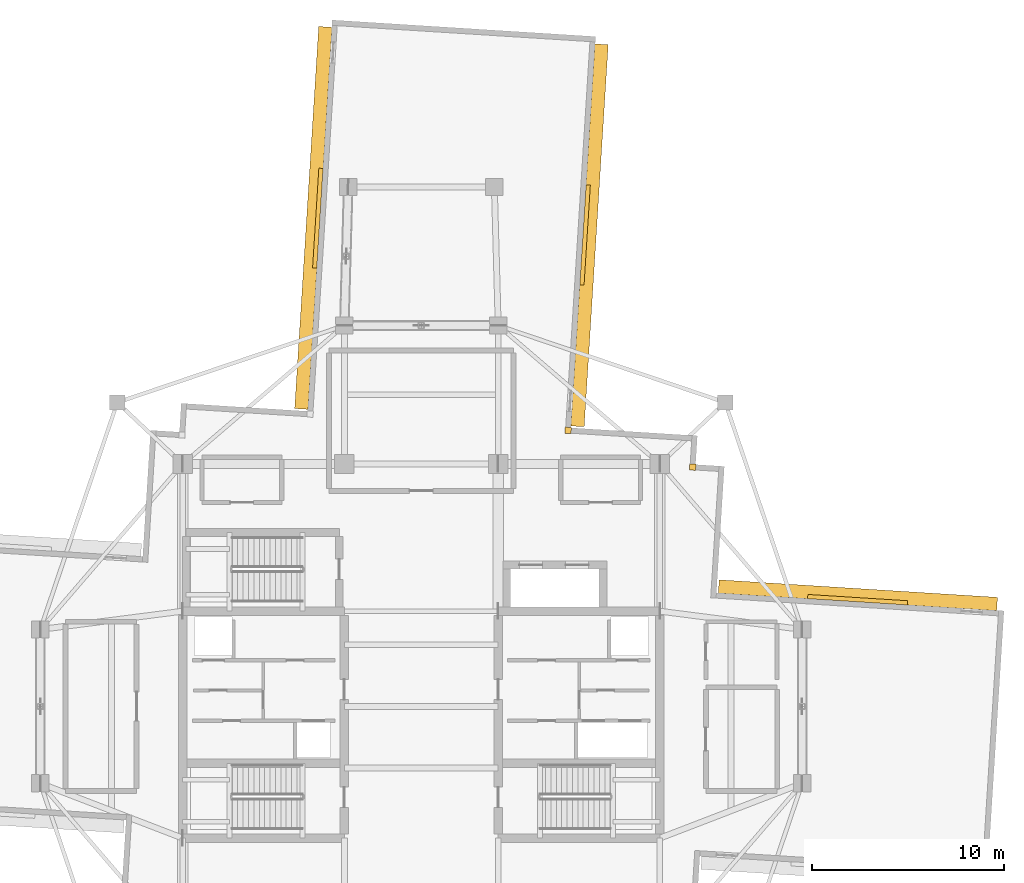
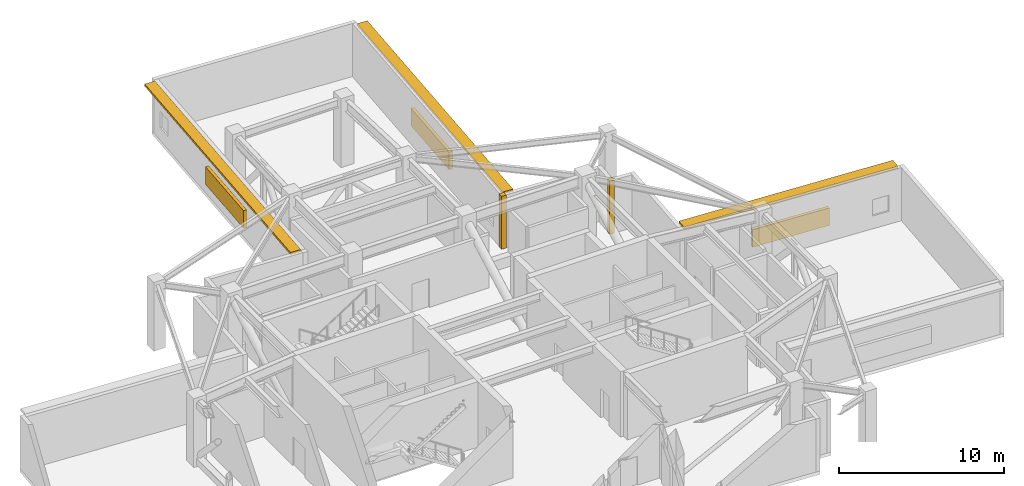
# One storey, part 14 of 14: 6 shading devices, 2 coverings.
"""IFC4 building model written with IfcOpenShell, lengths in metres."""

import ifcopenshell
import ifcopenshell.guid

model = None  # the IFC model being written
_history = None  # IfcOwnerHistory: only IFC2X3 demands one
_inside = {}  # id of a spatial element -> (the spatial element, [elements in it])
_under = {}  # id of a project, library or spatial element -> (it, [spatial elements below it])
_declared = {}  # id of a project -> (the project, [libraries it declares])
_typed = {}  # id of a type object -> (the type object, [elements of that type])
_made_of = {}  # id of a material, layer set ... -> (it, [elements and type objects made of it])


def new_model(schema):
    """Start an empty IFC model of exactly this schema.

    Asked for "IFC4X3", IfcOpenShell would pick the latest addendum, in which some entities
    have other attributes; the version numbers below select the first issue.
    IFC2X3 requires an IfcOwnerHistory on every rooted entity: one is made here for all.
    """
    global model, _history
    if schema == "IFC4X3":
        model = ifcopenshell.file(schema_version=(4, 3, 0, 0))
    else:
        model = ifcopenshell.file(schema=schema)
    _inside.clear()
    _under.clear()
    _declared.clear()
    _typed.clear()
    _made_of.clear()
    _history = None
    if model.schema == "IFC2X3":
        org = make("IfcOrganization", Name="unknown")
        user = make(
            "IfcPersonAndOrganization",
            ThePerson=make("IfcPerson", FamilyName="unknown"),
            TheOrganization=org,
        )
        app = make(
            "IfcApplication",
            ApplicationDeveloper=org,
            Version="unknown",
            ApplicationFullName="unknown",
            ApplicationIdentifier="unknown",
        )
        _history = make(
            "IfcOwnerHistory",
            OwningUser=user,
            OwningApplication=app,
            ChangeAction="ADDED",
            CreationDate=0,
        )
    return model


def make(cls, **values):
    """One entity of the class cls with the attributes given. An attribute that is None is left unset."""
    return model.create_entity(
        cls, **{name: value for name, value in values.items() if value is not None}
    )


def rooted(cls, **values):
    """An entity with a GlobalId (a new one), such as an element, a storey or a relation."""
    return make(cls, GlobalId=ifcopenshell.guid.new(), OwnerHistory=_history, **values)


def si_unit(unit_type, name, prefix=None):
    """IfcSIUnit, for example si_unit("LENGTHUNIT", "METRE", prefix="MILLI")."""
    return make("IfcSIUnit", UnitType=unit_type, Prefix=prefix, Name=name)


def assignment(units):
    """IfcUnitAssignment: the units of a project."""
    return None if units is None else make("IfcUnitAssignment", Units=units)


def point(xyz):
    """IfcCartesianPoint."""
    return None if xyz is None else make("IfcCartesianPoint", Coordinates=xyz)


def direction(xyz):
    """IfcDirection."""
    return None if xyz is None else make("IfcDirection", DirectionRatios=xyz)


def frame(location, z_axis=None, x_axis=None):
    """IfcAxis2Placement3D, a coordinate frame: its origin and axes. An axis left out is left unset."""
    return make(
        "IfcAxis2Placement3D",
        Location=point(location),
        Axis=direction(z_axis),
        RefDirection=direction(x_axis),
    )


def frame_2d(location, x_axis=None):
    """IfcAxis2Placement2D, a coordinate frame in the plane: its origin and x axis."""
    return make(
        "IfcAxis2Placement2D", Location=point(location), RefDirection=direction(x_axis)
    )


def origin():
    """The frame at (0, 0, 0) with its axes left unset."""
    return frame((0.0, 0.0, 0.0))


def origin_2d():
    """The frame at (0, 0) in the plane with its x axis left unset."""
    return frame_2d((0.0, 0.0))


def place(relative_to, where):
    """IfcLocalPlacement: puts the frame where relative to a parent placement (None: the world)."""
    return make(
        "IfcLocalPlacement", PlacementRelTo=relative_to, RelativePlacement=where
    )


def context(
    kind, dimensions, precision=None, world=None, true_north=None, identifier=None
):
    """IfcGeometricRepresentationContext, for example the 3D "Model" context."""
    return make(
        "IfcGeometricRepresentationContext",
        ContextIdentifier=identifier,
        ContextType=kind,
        CoordinateSpaceDimension=dimensions,
        Precision=precision,
        WorldCoordinateSystem=world,
        TrueNorth=true_north,
    )


def subcontext(parent, identifier, kind, view, scale=None):
    """IfcGeometricRepresentationSubContext, for example "Body" below "Model"."""
    return make(
        "IfcGeometricRepresentationSubContext",
        ContextIdentifier=identifier,
        ContextType=kind,
        ParentContext=parent,
        TargetScale=scale,
        TargetView=view,
    )


def project(units=None, contexts=None):
    """IfcProject with its units and contexts."""
    return rooted(
        "IfcProject",
        Name="project",
        RepresentationContexts=contexts,
        UnitsInContext=assignment(units),
    )


def spatial(cls, under=None, at=None, **own):
    """A site, building, storey or space (cls), placed at a placement, below another one or the project."""
    s = rooted(cls, ObjectPlacement=at, **own)
    if under is not None:
        _under.setdefault(under.id(), (under, []))[1].append(s)
    return s


def profile(cls, at=None, kind="AREA", **sizes):
    """A parametric profile (cls). Its sizes go by their IFC names, for example OverallWidth=200.0."""
    return make(cls, ProfileType=kind, Position=at, **sizes)


def rectangle(**sizes):
    """IfcRectangleProfileDef."""
    return profile("IfcRectangleProfileDef", **sizes)


def extrude(swept, where, along, depth):
    """IfcExtrudedAreaSolid: the profile swept, set in the frame where, extruded along a direction by depth."""
    return make(
        "IfcExtrudedAreaSolid",
        SweptArea=swept,
        Position=where,
        ExtrudedDirection=direction(along),
        Depth=depth,
    )


def shape(context_of_items, identifier, shape_type, items):
    """IfcShapeRepresentation: the items that make up one representation, for example the "Body"."""
    return make(
        "IfcShapeRepresentation",
        ContextOfItems=context_of_items,
        RepresentationIdentifier=identifier,
        RepresentationType=shape_type,
        Items=items,
    )


def material(Name=None, Category=None):
    """IfcMaterial."""
    return make("IfcMaterial", Name=Name, Category=Category)


def layer(
    of_material, thickness, ventilated=None, Name=None, Category=None, Priority=None
):
    """IfcMaterialLayer: one layer of a wall or slab, of a material (None: an air gap)."""
    return make(
        "IfcMaterialLayer",
        Material=of_material,
        LayerThickness=thickness,
        IsVentilated=ventilated,
        Name=Name,
        Category=Category,
        Priority=Priority,
    )


def layer_set(layers, Name=None):
    """IfcMaterialLayerSet."""
    return make("IfcMaterialLayerSet", MaterialLayers=layers, LayerSetName=Name)


def made_of(thing, what):
    """Note that an element or type object is made of a material, layer set ...; save() writes the relation."""
    if what is not None:
        _made_of.setdefault(what.id(), (what, []))[1].append(thing)
    return thing


def type_object(cls, material=None, **own):
    """A type object (cls), such as IfcWallType, which elements share."""
    return made_of(rooted(cls, **own), material)


def element(
    cls,
    number,
    at=None,
    inside=None,
    cuts=None,
    type_object=None,
    material=None,
    context=None,
    identifier="Body",
    shape_type=None,
    held_by="IfcProductDefinitionShape",
    body=None,
    shapes=None,
    **own,
):
    """One element of the class cls, such as IfcWall. Its Tag is "e" and its number.

    at: its placement. inside: the storey or other place that contains it. cuts: it is an
    opening in that element (IfcRelVoidsElement). A single representation is given by context,
    identifier, shape_type and body (its items); several are given by shapes. held_by: the class
    of the entity that holds the representations. save() writes the other relations.
    """
    e = rooted(cls, Tag="e%d" % number, ObjectPlacement=at, **own)
    if body is not None:
        shapes = [shape(context, identifier, shape_type, body)]
    if shapes is not None:
        e.Representation = make(held_by, Representations=shapes)
    if inside is not None:
        _inside.setdefault(inside.id(), (inside, []))[1].append(e)
    if cuts is not None:
        rooted(
            "IfcRelVoidsElement", RelatingBuildingElement=cuts, RelatedOpeningElement=e
        )
    if type_object is not None:
        _typed.setdefault(type_object.id(), (type_object, []))[1].append(e)
    return made_of(e, material)


def aggregate(whole, parts):
    """IfcRelAggregates: a whole, such as a stair, and the parts it consists of."""
    return rooted("IfcRelAggregates", RelatingObject=whole, RelatedObjects=parts)


def save(model, path):
    """Write the relations noted so far, then the file.

    IfcRelAggregates (storeys below a building ...), IfcRelContainedInSpatialStructure (elements
    in a storey), IfcRelDefinesByType, IfcRelAssociatesMaterial and IfcRelDeclares: one each for
    every whole, place, type object, material and project.
    """
    for whole, parts in _under.values():
        aggregate(whole, parts)
    for where, things in _inside.values():
        rooted(
            "IfcRelContainedInSpatialStructure",
            RelatedElements=things,
            RelatingStructure=where,
        )
    for kind, things in _typed.values():
        rooted("IfcRelDefinesByType", RelatedObjects=things, RelatingType=kind)
    for what, things in _made_of.values():
        rooted("IfcRelAssociatesMaterial", RelatedObjects=things, RelatingMaterial=what)
    for by, libraries in _declared.values():
        rooted("IfcRelDeclares", RelatingContext=by, RelatedDefinitions=libraries)
    model.write(path)


model = new_model("IFC4")

# Units and contexts
model_context = context("Model", 3, precision=1e-05, world=origin(), true_north=direction((0.0, 1.0)))
body_context = subcontext(model_context, "Body", "Model", "MODEL_VIEW")
ifc_project = project(units=[si_unit("LENGTHUNIT", "METRE"), si_unit("AREAUNIT", "SQUARE_METRE"), si_unit("VOLUMEUNIT", "CUBIC_METRE"), si_unit("PLANEANGLEUNIT", "RADIAN"), si_unit("MASSUNIT", "GRAM", prefix="KILO")], contexts=[model_context])

# Site, building, storey
site_placement = place(None, origin())
site = spatial("IfcSite", under=ifc_project, at=site_placement, CompositionType="ELEMENT")
building_placement = place(site_placement, origin())
building = spatial("IfcBuilding", under=site, at=building_placement, Name="Qingluan Cross Belvedere", CompositionType="ELEMENT")
storey_placement = place(building_placement, frame((0.0, 0.0, 240.300048828125)))
storey = spatial("IfcBuildingStorey", under=building, at=storey_placement, Name="L60", CompositionType="ELEMENT", Elevation=240.300048828125)

# Coverings
ifc_material_1 = material(Name="Precast concrete C45", Category="concrete")
ifc_layer_1 = layer(ifc_material_1, 0.1201171875, Name="ConcreteSpandrelCladding_120")
ifc_layer_set_1 = layer_set([ifc_layer_1], Name="Precast concrete C45")
covering_type = type_object("IfcCoveringType", Name="ConcreteSpandrelCladding_120", PredefinedType="CLADDING", material=ifc_layer_set_1)
for number, where, z_axis, x_axis, name in (
    (1, (14.10888671875, 12.438720703125, 0.0), (0.0, 0.0, 1.0), (0.998026728428, -0.062790519529, 0.0), "Corner closure L60-NE1"),
    (2, (7.635986328125, 14.348876953125, 0.0), (0.0, 0.0, 1.0), (0.998026728428, -0.062790519529, 0.0), "Corner closure L60-NE2"),
):
    element("IfcCovering", number, at=place(storey_placement, frame(where, z_axis=z_axis, x_axis=x_axis)), inside=storey, type_object=covering_type, Name=name, PredefinedType="CLADDING", context=body_context, shape_type="SweptSolid", body=[
        extrude(rectangle(XDim=0.320068359375, YDim=0.320068359375, at=origin_2d()), origin(), (0.0, 0.0, 1.0), 3.929931640625),
    ])

# Shading devices
ifc_material_2 = material(Name="Precast concrete C45", Category="concrete")
ifc_layer_2 = layer(ifc_material_2, 0.139892578125, Name="ConcreteSunshadeBand_700")
ifc_layer_set_2 = layer_set([ifc_layer_2], Name="Precast concrete C45")
shading_device_type_1 = type_object("IfcShadingDeviceType", Name="ConcreteSunshadeBand_700", PredefinedType="USERDEFINED", material=ifc_layer_set_2)
shading_device_placement = place(storey_placement, frame((22.697509765625, 5.776123046875, 3.75), z_axis=(0.0, 0.0, 1.0), x_axis=(-0.998026818306, 0.062789090939, 0.0)))
element("IfcShadingDevice", 3, at=shading_device_placement, inside=storey, type_object=shading_device_type_1, Name="Concrete SUNSHADE L60-EB", ObjectType="SUNSHADE", PredefinedType="USERDEFINED", context=body_context, shape_type="SweptSolid", body=[
    extrude(rectangle(XDim=14.5, YDim=0.699951171875, at=origin_2d()), origin(), (0.0, 0.0, 1.0), 0.159912109375),
])
for number, where, z_axis, x_axis, name in (
    (4, (8.744873046875, 24.4892578125, 3.75), (0.0, 0.0, 1.0), (0.062791158819, 0.998026688207, 0.0), "Concrete SUNSHADE L60-NA"),
    (5, (-5.606689453125, 25.39208984375, 3.75), (0.0, 0.0, 1.0), (-0.062786203294, -0.998026999973, 0.0), "Concrete SUNSHADE L60-NB"),
):
    element("IfcShadingDevice", number, at=place(storey_placement, frame(where, z_axis=z_axis, x_axis=x_axis)), inside=storey, type_object=shading_device_type_1, Name=name, ObjectType="SUNSHADE", PredefinedType="USERDEFINED", context=body_context, shape_type="SweptSolid", body=[
        extrude(rectangle(XDim=19.89990234375, YDim=0.699951171875, at=origin_2d()), origin(), (0.0, 0.0, 1.0), 0.159912109375),
    ])
ifc_material_3 = material(Name="Anodised aluminium acoustic louvre screen", Category="aluminium")
ifc_layer_3 = layer(ifc_material_3, 0.219970703125, Name="RefugeAcousticLouvre_Screen")
ifc_layer_set_3 = layer_set([ifc_layer_3], Name="Anodised aluminium acoustic louvre screen")
shading_device_type_2 = type_object("IfcShadingDeviceType", Name="RefugeAcousticLouvre_Screen", PredefinedType="JALOUSIE", material=ifc_layer_set_3)
for number, where, z_axis, x_axis, name in (
    (6, (22.68310546875, 5.546630859375, 0.94970703125), (0.0, 0.0, 1.0), (-0.998026818306, 0.062789090939, 0.0), "Plant acoustic louvre SCREEN L60-EB"),
    (7, (8.515380859375, 24.503662109375, 0.94970703125), (0.0, 0.0, 1.0), (0.062791158819, 0.998026688207, 0.0), "Plant acoustic louvre SCREEN L60-NA"),
    (8, (-5.377197265625, 25.377685546875, 0.94970703125), (0.0, 0.0, 1.0), (-0.062786203294, -0.998026999973, 0.0), "Plant acoustic louvre SCREEN L60-NB"),
):
    element("IfcShadingDevice", number, at=place(storey_placement, frame(where, z_axis=z_axis, x_axis=x_axis)), inside=storey, type_object=shading_device_type_2, Name=name, PredefinedType="JALOUSIE", context=body_context, shape_type="SweptSolid", body=[
        extrude(rectangle(XDim=5.199951171875, YDim=0.219970703125, at=origin_2d()), origin(), (0.0, 0.0, 1.0), 1.300048828125),
    ])

save(model, "model.ifc")
